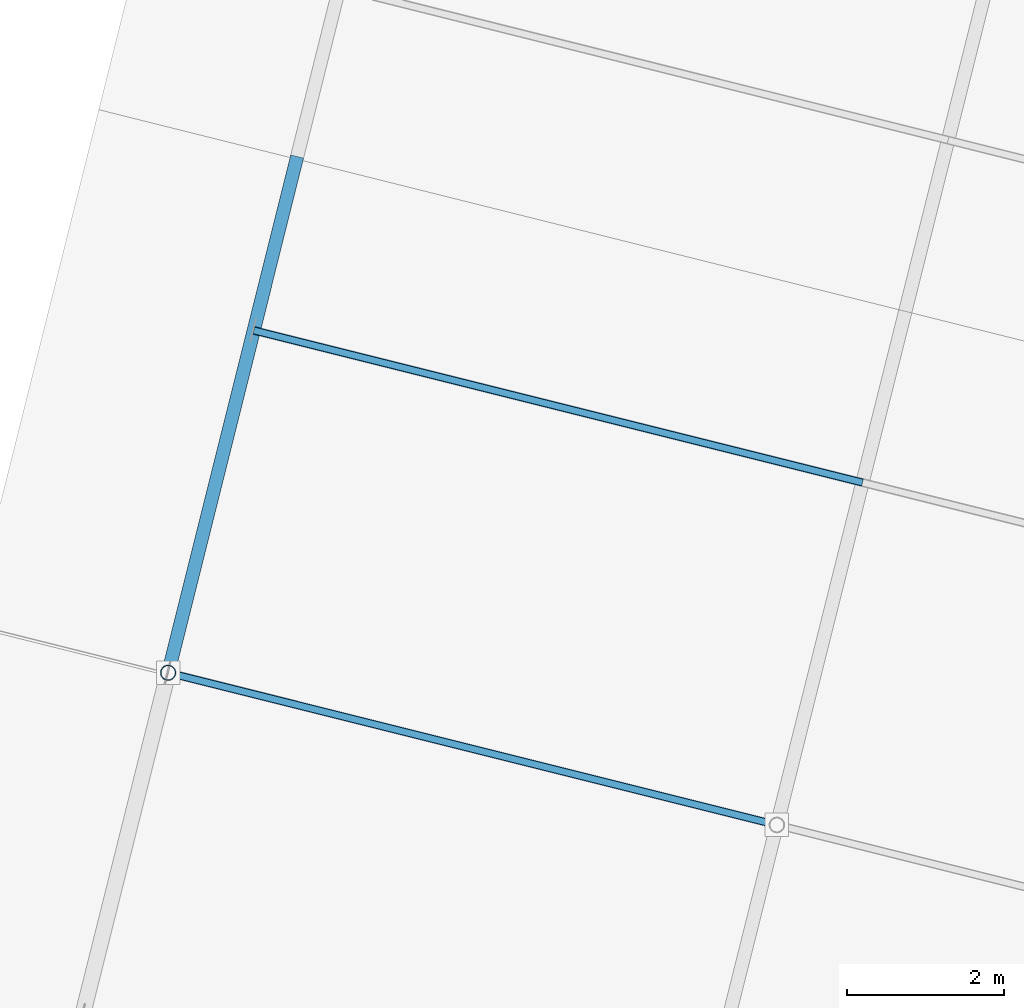
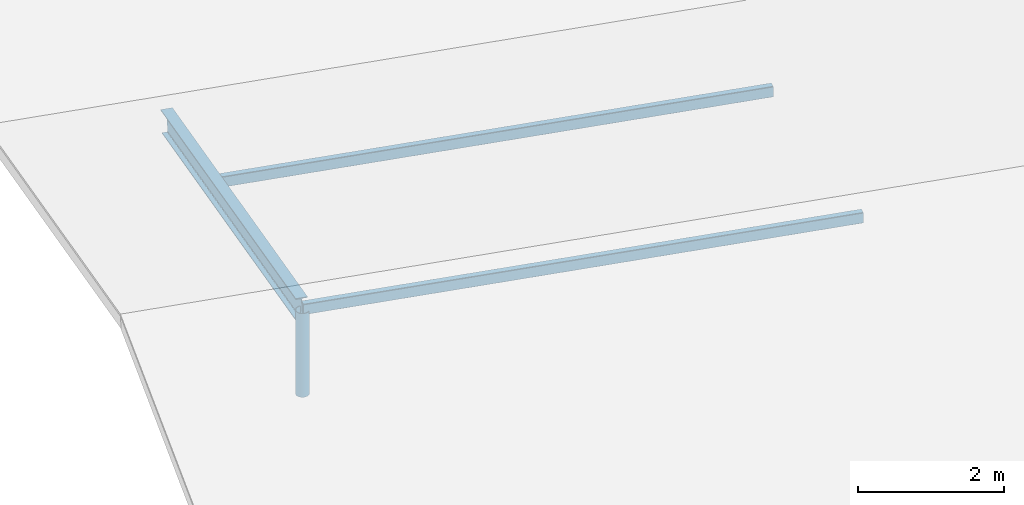
# One storey, part 51 of 107: 4 members.
"""IFC4 building model written with IfcOpenShell, lengths in metres."""

from ifc_helpers import new_model, si_unit, derived_unit, direction, frame, origin, origin_2d, place, context, subcontext, project, spatial, hollow_rectangle, hollow_circle, i_section, extrude, material, material_profile, profile_set, type_object, element, save


model = new_model("IFC4")

# Units and contexts
model_context = context("Model", 3, precision=1e-05, world=origin(), true_north=direction((0.0, 1.0)))
body_context = subcontext(model_context, "Body", "Model", "MODEL_VIEW")
ifc_project = project(units=[si_unit("LENGTHUNIT", "METRE"), si_unit("AREAUNIT", "SQUARE_METRE"), si_unit("VOLUMEUNIT", "CUBIC_METRE"), si_unit("PLANEANGLEUNIT", "RADIAN"), si_unit("MASSUNIT", "GRAM", prefix="KILO"), si_unit("THERMODYNAMICTEMPERATUREUNIT", "KELVIN"), si_unit("TIMEUNIT", "SECOND"), derived_unit("THERMALTRANSMITTANCEUNIT", [(si_unit("MASSUNIT", "GRAM", prefix="KILO"), 1), (si_unit("THERMODYNAMICTEMPERATUREUNIT", "KELVIN"), -1), (si_unit("TIMEUNIT", "SECOND"), -3)])], contexts=[model_context])

# Site, building, storey
site_placement = place(None, origin())
site = spatial("IfcSite", under=ifc_project, at=site_placement, CompositionType="ELEMENT")
building_placement = place(site_placement, origin())
building = spatial("IfcBuilding", under=site, at=building_placement, Name="Cambertide Market Hall", CompositionType="ELEMENT")
storey_placement = place(building_placement, frame((0.0, 0.0, 18.300048828125)))
storey = spatial("IfcBuildingStorey", under=building, at=storey_placement, Name="RF", CompositionType="ELEMENT", Elevation=18.300048828125)

# Members
ifc_material_1 = material(Name="Steel S355", Category="steel")
ifc_material_profile_1 = material_profile(ifc_material_1, i_section(OverallWidth=0.169921875, OverallDepth=0.360107421875, WebThickness=0.008056640625, FlangeThickness=0.0126953125, FilletRadius=0.01806640625, at=origin_2d()), Name="IPE 360")
ifc_profile_set_1 = profile_set([ifc_material_profile_1], Name="Steel S355")
member_type_1 = type_object("IfcMemberType", Name="Radial Fan Rafter IPE 360", PredefinedType="RAFTER", material=ifc_profile_set_1)
member_1_placement = place(storey_placement, frame((109.63720703125, 106.548583984375, 1.003173828125), z_axis=(0.237649836416, 0.950670233014, -0.199370668135), x_axis=(-0.970146755268, 0.24251860391, 0.0)))
element("IfcMember", 1, at=member_1_placement, inside=storey, type_object=member_type_1, Name="RAF-V4-1-2", PredefinedType="RAFTER", context=body_context, shape_type="SweptSolid", body=[
    extrude(i_section(OverallWidth=0.169921875, OverallDepth=0.360107421875, WebThickness=0.008056640625, FlangeThickness=0.0126953125, FilletRadius=0.01806640625, at=origin_2d()), origin(), (0.0, 0.0, 1.0), 6.88818359375),
])
ifc_material_2 = material(Name="Steel S275", Category="steel")
ifc_material_profile_2 = material_profile(ifc_material_2, hollow_rectangle(XDim=0.10009765625, YDim=0.179931640625, WallThickness=0.00634765625, InnerFilletRadius=0.00634765625, OuterFilletRadius=0.0126953125, at=origin_2d()), Name="RHS 180x100x6.3")
ifc_profile_set_2 = profile_set([ifc_material_profile_2], Name="Steel S275")
member_type_2 = type_object("IfcMemberType", Name="Roof Purlin RHS 180x100x6.3", PredefinedType="PURLIN", material=ifc_profile_set_2)
for number, where, z_axis, x_axis, name in (
    (2, (109.63720703125, 106.548583984375, 1.033203125), (0.970137114374, -0.242557167103, 0.0), (0.242557167103, 0.970137114374, 0.0), "PUR-V4-1-67"),
    (3, (110.728515625, 110.9140625, 0.11767578125), (0.970146090314, -0.242521263911, 0.0), (0.242521263911, 0.970146090314, 0.0), "PUR-V4-1-112"),
):
    element("IfcMember", number, at=place(storey_placement, frame(where, z_axis=z_axis, x_axis=x_axis)), inside=storey, type_object=member_type_2, Name=name, PredefinedType="PURLIN", context=body_context, shape_type="SweptSolid", body=[
        extrude(hollow_rectangle(XDim=0.10009765625, YDim=0.179931640625, WallThickness=0.00634765625, InnerFilletRadius=0.00634765625, OuterFilletRadius=0.0126953125, at=origin_2d()), origin(), (0.0, 0.0, 1.0), 8.0),
    ])
ifc_material_3 = material(Name="Steel S355", Category="steel")
ifc_material_profile_3 = material_profile(ifc_material_3, hollow_circle(Radius=0.096923828125, WallThickness=0.00634765625, at=origin_2d()), Name="CHS 193.7x6.3")
ifc_profile_set_3 = profile_set([ifc_material_profile_3], Name="Steel S355")
member_type_3 = type_object("IfcMemberType", Name="Structural Brace CHS 193.7x6.3", PredefinedType="BRACE", material=ifc_profile_set_3)
member_2_placement = place(storey_placement, frame((109.63720703125, 106.548583984375, -0.400146484375), z_axis=(0.0, 0.0, 1.0), x_axis=(1.0, 0.0, 0.0)))
element("IfcMember", 4, at=member_2_placement, inside=storey, type_object=member_type_3, Name="KP-V4-1-67", PredefinedType="BRACE", context=body_context, shape_type="SweptSolid", body=[
    extrude(hollow_circle(Radius=0.096923828125, WallThickness=0.00634765625, at=origin_2d()), origin(), (0.0, 0.0, 1.0), 1.4033203125),
])

save(model, "model.ifc")
